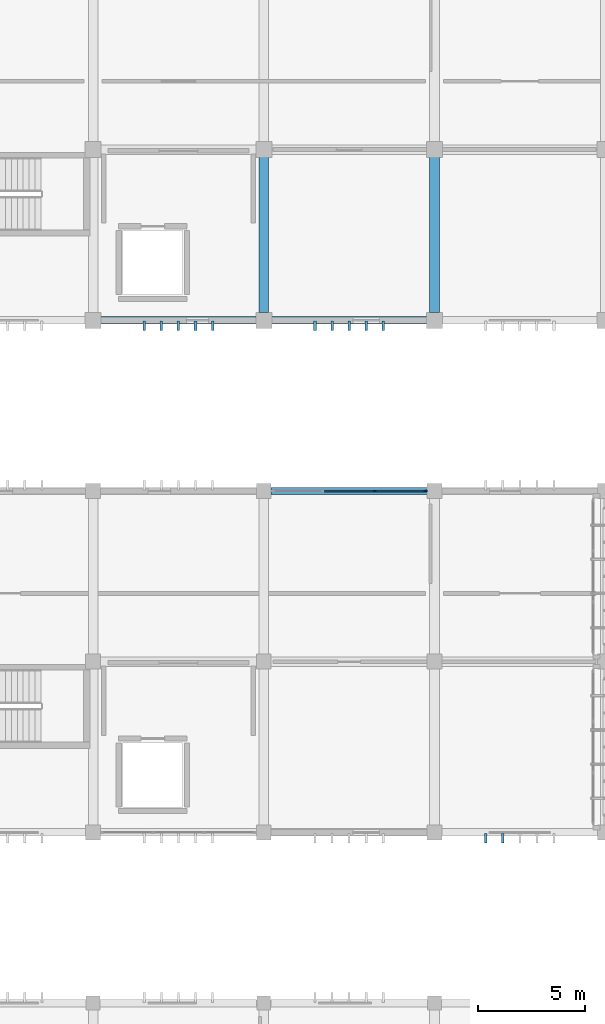
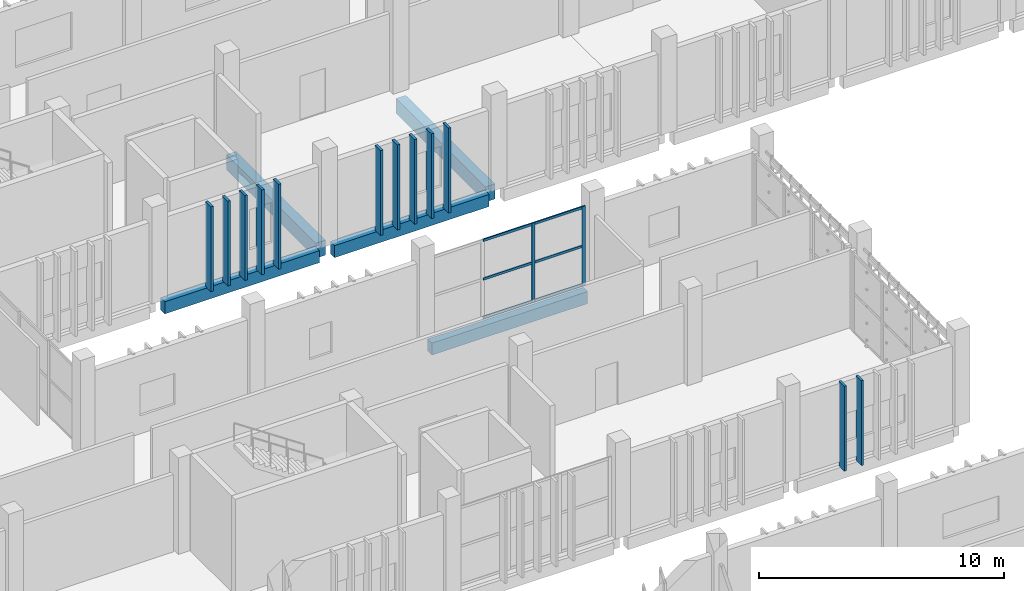
# One storey, part 38 of 106: 20 members, 5 beams, 1 element without a shape of its own.
"""IFC4 building model written with IfcOpenShell, lengths in metres."""

from ifc_helpers import new_model, si_unit, direction, frame, origin, origin_2d, place, context, subcontext, project, spatial, rectangle, extrude, material, layer, layer_set, material_profile, profile_set, type_object, element, aggregate, save


model = new_model("IFC4")

# Units and contexts
model_context = context("Model", 3, precision=1e-05, world=origin(), true_north=direction((0.0, 1.0)))
body_context = subcontext(model_context, "Body", "Model", "MODEL_VIEW")
ifc_project = project(units=[si_unit("LENGTHUNIT", "METRE"), si_unit("AREAUNIT", "SQUARE_METRE"), si_unit("VOLUMEUNIT", "CUBIC_METRE"), si_unit("PLANEANGLEUNIT", "RADIAN"), si_unit("MASSUNIT", "GRAM", prefix="KILO")], contexts=[model_context])

# Site, building, storey
site_placement = place(None, origin())
site = spatial("IfcSite", under=ifc_project, at=site_placement, CompositionType="ELEMENT")
building_placement = place(site_placement, origin())
building = spatial("IfcBuilding", under=site, at=building_placement, Name="Jelvoka-Kovrelna Polytechnic", CompositionType="ELEMENT")
storey_placement = place(building_placement, frame((0.0, 0.0, 4.800048828125)))
storey = spatial("IfcBuildingStorey", under=building, at=storey_placement, Name="L02", CompositionType="ELEMENT", Elevation=4.800048828125)

# Beams
ifc_material_1 = material(Name="Concrete C40/50", Category="concrete")
ifc_material_profile_1 = material_profile(ifc_material_1, rectangle(XDim=0.449951171875, YDim=0.75, at=origin_2d()), Name="RC 450x750")
ifc_profile_set_1 = profile_set([ifc_material_profile_1], Name="Concrete C40/50")
beam_type_1 = type_object("IfcBeamType", Name="Beam_RC_450x750", PredefinedType="BEAM", material=ifc_profile_set_1)
for number, where, z_axis, x_axis, name in (
    (1, (96.0, 56.35498046875, -0.64013671875), (0.0, 1.0, 0.0), (-1.0, 0.0, 0.0), "L02 beam 0785"),
    (2, (104.0, 56.35498046875, -0.64013671875), (0.0, 1.0, 0.0), (-1.0, 0.0, 0.0), "L02 beam 0787"),
):
    element("IfcBeam", number, at=place(storey_placement, frame(where, z_axis=z_axis, x_axis=x_axis)), inside=storey, type_object=beam_type_1, Name=name, PredefinedType="BEAM", context=body_context, shape_type="SweptSolid", body=[
        extrude(rectangle(XDim=0.449951171875, YDim=0.75, at=origin_2d()), origin(), (0.0, 0.0, 1.0), 7.2900390625),
    ])

# Members
ifc_material_2 = material(Name="Precast concrete C40/50", Category="concrete")
ifc_material_profile_2 = material_profile(ifc_material_2, rectangle(XDim=0.10009765625, YDim=0.449951171875, at=origin_2d()), Name="PC 100x450")
ifc_profile_set_2 = profile_set([ifc_material_profile_2], Name="Precast concrete C40/50")
member_type_1 = type_object("IfcMemberType", Name="Louvre_Fin_100x450", PredefinedType="USERDEFINED", material=ifc_profile_set_2)
for number, where, z_axis, x_axis, name in (
    (3, (106.39990234375, 31.735107421875, -0.27001953125), (0.0, 0.0, 1.0), (1.0, 0.0, 0.0), "L02 B2W south vertical solar louvre fin 0641"),
    (4, (107.199951171875, 31.735107421875, -0.27001953125), (0.0, 0.0, 1.0), (1.0, 0.0, 0.0), "L02 B2W south vertical solar louvre fin 0642"),
):
    element("IfcMember", number, at=place(storey_placement, frame(where, z_axis=z_axis, x_axis=x_axis)), inside=storey, type_object=member_type_1, Name=name, ObjectType="SUNSHADE", PredefinedType="USERDEFINED", context=body_context, shape_type="SweptSolid", body=[
        extrude(rectangle(XDim=0.10009765625, YDim=0.449951171875, at=origin_2d()), origin(), (0.0, 0.0, 1.0), 4.22998046875),
    ])
ifc_material_3 = material(Name="Precast concrete C40/50", Category="concrete")
ifc_material_profile_3 = material_profile(ifc_material_3, rectangle(XDim=0.1201171875, YDim=0.449951171875, at=origin_2d()), Name="PC 120x450")
ifc_profile_set_3 = profile_set([ifc_material_profile_3], Name="Precast concrete C40/50")
member_type_2 = type_object("IfcMemberType", Name="Louvre_Fin_120x450", PredefinedType="USERDEFINED", material=ifc_profile_set_3)
for number, where, z_axis, x_axis, name in (
    (5, (90.39990234375, 55.735107421875, -0.27001953125), (0.0, 0.0, 1.0), (1.0, 0.0, 0.0), "L02 B3 south vertical solar louvre fin 1336"),
    (6, (91.199951171875, 55.735107421875, -0.27001953125), (0.0, 0.0, 1.0), (1.0, 0.0, 0.0), "L02 B3 south vertical solar louvre fin 1337"),
    (7, (92.0, 55.735107421875, -0.27001953125), (0.0, 0.0, 1.0), (1.0, 0.0, 0.0), "L02 B3 south vertical solar louvre fin 1338"),
    (8, (92.800048828125, 55.735107421875, -0.27001953125), (0.0, 0.0, 1.0), (1.0, 0.0, 0.0), "L02 B3 south vertical solar louvre fin 1339"),
    (9, (93.60009765625, 55.735107421875, -0.27001953125), (0.0, 0.0, 1.0), (1.0, 0.0, 0.0), "L02 B3 south vertical solar louvre fin 1340"),
    (10, (98.39990234375, 55.735107421875, -0.27001953125), (0.0, 0.0, 1.0), (1.0, 0.0, 0.0), "L02 B3 south vertical solar louvre fin 1346"),
    (11, (99.199951171875, 55.735107421875, -0.27001953125), (0.0, 0.0, 1.0), (1.0, 0.0, 0.0), "L02 B3 south vertical solar louvre fin 1347"),
    (12, (100.0, 55.735107421875, -0.27001953125), (0.0, 0.0, 1.0), (1.0, 0.0, 0.0), "L02 B3 south vertical solar louvre fin 1348"),
    (13, (100.800048828125, 55.735107421875, -0.27001953125), (0.0, 0.0, 1.0), (1.0, 0.0, 0.0), "L02 B3 south vertical solar louvre fin 1349"),
    (14, (101.60009765625, 55.735107421875, -0.27001953125), (0.0, 0.0, 1.0), (1.0, 0.0, 0.0), "L02 B3 south vertical solar louvre fin 1350"),
):
    element("IfcMember", number, at=place(storey_placement, frame(where, z_axis=z_axis, x_axis=x_axis)), inside=storey, type_object=member_type_2, Name=name, ObjectType="SUNSHADE", PredefinedType="USERDEFINED", context=body_context, shape_type="SweptSolid", body=[
        extrude(rectangle(XDim=0.1201171875, YDim=0.449951171875, at=origin_2d()), origin(), (0.0, 0.0, 1.0), 4.22998046875),
    ])

# Curtain wall, members
ifc_material_4 = material(Name="Anodised aluminium 6063-T6", Category="aluminium")
ifc_layer = layer(ifc_material_4, 0.159912109375)
ifc_layer_set = layer_set([ifc_layer], Name="Anodised aluminium 6063-T6")
curtain_wall_type = type_object("IfcCurtainWallType", Name="CW_Recessed_A", PredefinedType="NOTDEFINED", material=ifc_layer_set)
curtain_wall_placement = place(storey_placement, origin())
curtain_wall = element("IfcCurtainWall", 15, at=curtain_wall_placement, inside=storey, type_object=curtain_wall_type, Name="L02 glazed curtain wall 018", PredefinedType="NOTDEFINED")
ifc_material_5 = material(Name="Anodised aluminium 6063-T6", Category="aluminium")
ifc_material_profile_4 = material_profile(ifc_material_5, rectangle(XDim=0.06005859375, YDim=0.159912109375, at=origin_2d()), Name="ALU 60x160")
ifc_profile_set_4 = profile_set([ifc_material_profile_4], Name="Anodised aluminium 6063-T6")
member_type_3 = type_object("IfcMemberType", Name="Mullion_M-01", PredefinedType="MULLION", material=ifc_profile_set_4)
member_1_placement = place(storey_placement, frame((101.199951171875, 48.0, -0.02490234375), z_axis=(0.0, 0.0, 1.0), x_axis=(0.0, 1.0, 0.0)))
member_1 = element("IfcMember", 16, at=member_1_placement, type_object=member_type_3, Name="CW-01 mullion 3", PredefinedType="MULLION", context=body_context, shape_type="SweptSolid", body=[
    extrude(rectangle(XDim=0.06005859375, YDim=0.159912109375, at=origin_2d()), origin(), (0.0, 0.0, 1.0), 3.9599609375),
])
member_2_placement = place(storey_placement, frame((103.570068359375, 48.0, -0.02490234375), z_axis=(0.0, 0.0, 1.0), x_axis=(0.0, 1.0, 0.0)))
member_2 = element("IfcMember", 17, at=member_2_placement, type_object=member_type_3, Name="CW-01 mullion 4", PredefinedType="MULLION", context=body_context, shape_type="SweptSolid", body=[
    extrude(rectangle(XDim=0.06005859375, YDim=0.159912109375, at=origin_2d()), origin(), (0.0, 0.0, 1.0), 3.9599609375),
])

# Beams
ifc_material_6 = material(Name="Concrete C40/50", Category="concrete")
ifc_material_profile_5 = material_profile(ifc_material_6, rectangle(XDim=0.35009765625, YDim=0.60009765625, at=origin_2d()), Name="RC 350x600")
ifc_profile_set_5 = profile_set([ifc_material_profile_5], Name="Concrete C40/50")
beam_type_2 = type_object("IfcBeamType", Name="Spandrel_RC_350x600", PredefinedType="SPANDREL", material=ifc_profile_set_5)
beam_placement = place(storey_placement, frame((96.330078125, 48.0, -0.56494140625), z_axis=(1.0, 0.0, 0.0), x_axis=(0.0, 1.0, 0.0)))
element("IfcBeam", 18, at=beam_placement, inside=storey, type_object=beam_type_2, Name="L02 beam 0696", PredefinedType="SPANDREL", context=body_context, shape_type="SweptSolid", body=[
    extrude(rectangle(XDim=0.35009765625, YDim=0.60009765625, at=origin_2d()), origin(), (0.0, 0.0, 1.0), 7.33984375),
])
for number, where, z_axis, x_axis, name in (
    (19, (88.35498046875, 56.0, -0.56494140625), (1.0, 0.0, 0.0), (0.0, 1.0, 0.0), "L02 beam 0759"),
    (20, (96.35498046875, 56.0, -0.56494140625), (1.0, 0.0, 0.0), (0.0, 1.0, 0.0), "L02 beam 0760"),
):
    element("IfcBeam", number, at=place(storey_placement, frame(where, z_axis=z_axis, x_axis=x_axis)), inside=storey, type_object=beam_type_2, Name=name, PredefinedType="SPANDREL", context=body_context, shape_type="SweptSolid", body=[
        extrude(rectangle(XDim=0.35009765625, YDim=0.60009765625, at=origin_2d()), origin(), (0.0, 0.0, 1.0), 7.2900390625),
    ])

# Member
ifc_material_7 = material(Name="Anodised aluminium 6063-T6", Category="aluminium")
ifc_material_profile_6 = material_profile(ifc_material_7, rectangle(XDim=0.06005859375, YDim=0.1201171875, at=origin_2d()), Name="ALU 60x120")
ifc_profile_set_6 = profile_set([ifc_material_profile_6], Name="Anodised aluminium 6063-T6")
member_type_4 = type_object("IfcMemberType", Name="Transom_T-01", PredefinedType="USERDEFINED", material=ifc_profile_set_6)
member_3_placement = place(storey_placement, frame((98.830078125, 48.0, 0.030029296875), z_axis=(1.0, 0.0, 0.0), x_axis=(0.0, 1.0, 0.0)))
member_3 = element("IfcMember", 21, at=member_3_placement, type_object=member_type_4, Name="CW-01 transom 2.1", ObjectType="TRANSOM", PredefinedType="USERDEFINED", context=body_context, shape_type="SweptSolid", body=[
    extrude(rectangle(XDim=0.06005859375, YDim=0.1201171875, at=origin_2d()), origin(), (0.0, 0.0, 1.0), 2.33984375),
])

member_4_placement = place(storey_placement, frame((98.830078125, 48.0, 1.954833984375), z_axis=(1.0, 0.0, 0.0), x_axis=(0.0, 1.0, 0.0)))
member_4 = element("IfcMember", 22, at=member_4_placement, type_object=member_type_4, Name="CW-01 transom 2.2", ObjectType="TRANSOM", PredefinedType="USERDEFINED", context=body_context, shape_type="SweptSolid", body=[
    extrude(rectangle(XDim=0.06005859375, YDim=0.1201171875, at=origin_2d()), origin(), (0.0, 0.0, 1.0), 2.33984375),
])

member_5_placement = place(storey_placement, frame((98.830078125, 48.0, 3.8798828125), z_axis=(1.0, 0.0, 0.0), x_axis=(0.0, 1.0, 0.0)))
member_5 = element("IfcMember", 23, at=member_5_placement, type_object=member_type_4, Name="CW-01 transom 2.3", ObjectType="TRANSOM", PredefinedType="USERDEFINED", context=body_context, shape_type="SweptSolid", body=[
    extrude(rectangle(XDim=0.06005859375, YDim=0.1201171875, at=origin_2d()), origin(), (0.0, 0.0, 1.0), 2.33984375),
])

member_6_placement = place(storey_placement, frame((101.22998046875, 48.0, 0.030029296875), z_axis=(1.0, 0.0, 0.0), x_axis=(0.0, 1.0, 0.0)))
member_6 = element("IfcMember", 24, at=member_6_placement, type_object=member_type_4, Name="CW-01 transom 3.1", ObjectType="TRANSOM", PredefinedType="USERDEFINED", context=body_context, shape_type="SweptSolid", body=[
    extrude(rectangle(XDim=0.06005859375, YDim=0.1201171875, at=origin_2d()), origin(), (0.0, 0.0, 1.0), 2.31005859375),
])

member_7_placement = place(storey_placement, frame((101.22998046875, 48.0, 1.954833984375), z_axis=(1.0, 0.0, 0.0), x_axis=(0.0, 1.0, 0.0)))
member_7 = element("IfcMember", 25, at=member_7_placement, type_object=member_type_4, Name="CW-01 transom 3.2", ObjectType="TRANSOM", PredefinedType="USERDEFINED", context=body_context, shape_type="SweptSolid", body=[
    extrude(rectangle(XDim=0.06005859375, YDim=0.1201171875, at=origin_2d()), origin(), (0.0, 0.0, 1.0), 2.31005859375),
])

member_8_placement = place(storey_placement, frame((101.22998046875, 48.0, 3.8798828125), z_axis=(1.0, 0.0, 0.0), x_axis=(0.0, 1.0, 0.0)))
member_8 = element("IfcMember", 26, at=member_8_placement, type_object=member_type_4, Name="CW-01 transom 3.3", ObjectType="TRANSOM", PredefinedType="USERDEFINED", context=body_context, shape_type="SweptSolid", body=[
    extrude(rectangle(XDim=0.06005859375, YDim=0.1201171875, at=origin_2d()), origin(), (0.0, 0.0, 1.0), 2.31005859375),
])

aggregate(curtain_wall, [member_1, member_2, member_3, member_4, member_5, member_6, member_7, member_8])

save(model, "model.ifc")
